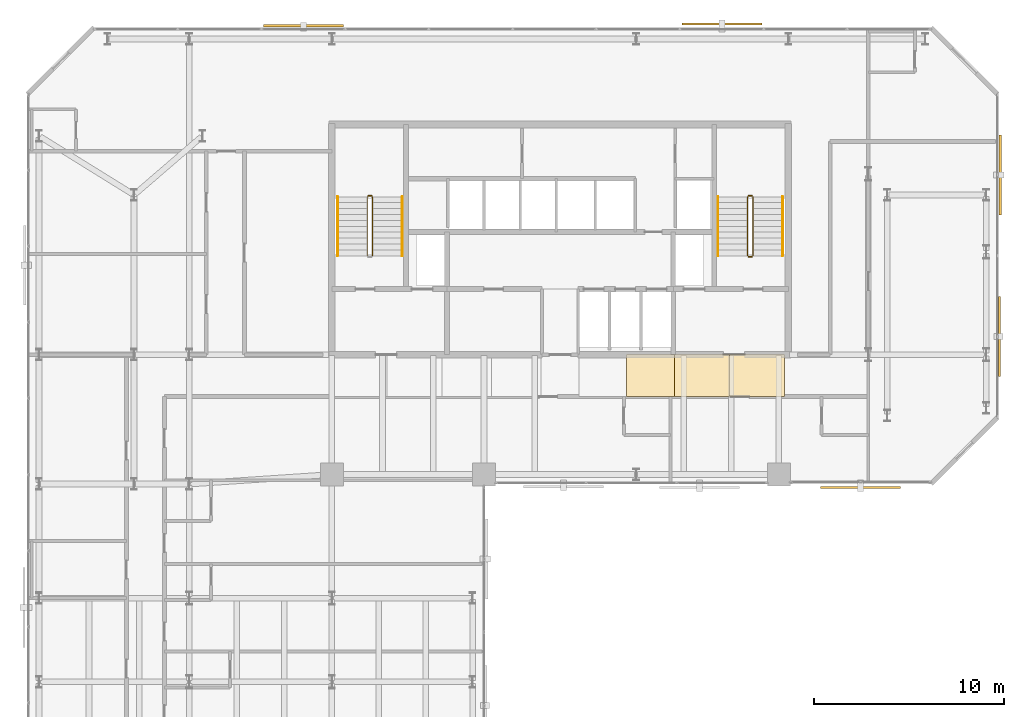
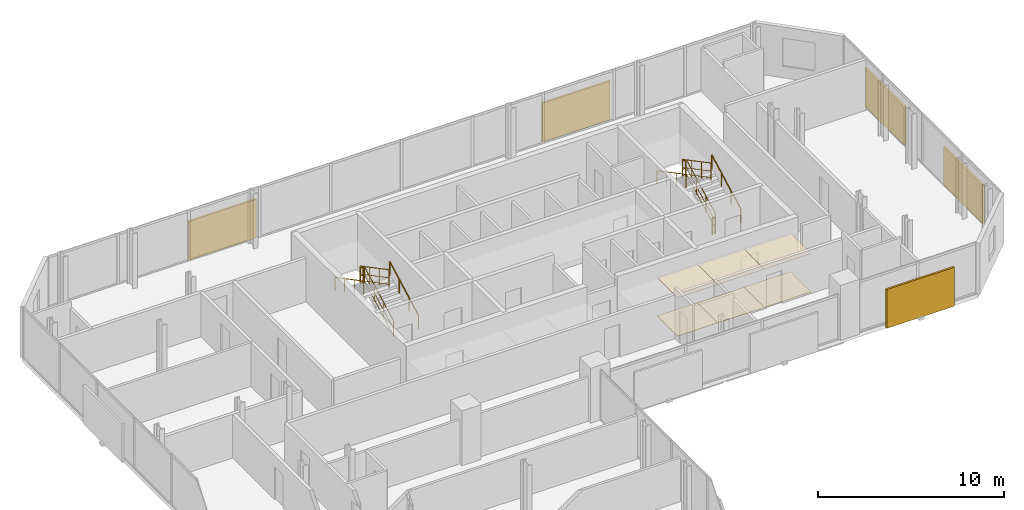
# One storey, part 32 of 32: 11 railings, 6 coverings, 5 shading devices.
"""IFC4 building model written with IfcOpenShell, lengths in metres."""

from ifc_helpers import new_model, si_unit, direction, frame, origin, origin_2d, place, context, subcontext, project, spatial, polyline, rectangle, circle, outline, extrude, material, layer, layer_set, type_object, element, save


model = new_model("IFC4")

# Units and contexts
model_context = context("Model", 3, precision=1e-05, world=origin(), true_north=direction((0.0, 1.0)))
body_context = subcontext(model_context, "Body", "Model", "MODEL_VIEW")
ifc_project = project(units=[si_unit("LENGTHUNIT", "METRE"), si_unit("AREAUNIT", "SQUARE_METRE"), si_unit("VOLUMEUNIT", "CUBIC_METRE"), si_unit("PLANEANGLEUNIT", "RADIAN"), si_unit("MASSUNIT", "GRAM", prefix="KILO")], contexts=[model_context])

# Site, building, storey
site_placement = place(None, origin())
site = spatial("IfcSite", under=ifc_project, at=site_placement, CompositionType="ELEMENT")
building_placement = place(site_placement, origin())
building = spatial("IfcBuilding", under=site, at=building_placement, Name="Catumbela Crestline Tower", CompositionType="ELEMENT")
storey_placement = place(building_placement, frame((0.0, 0.0, 129.6)))
storey = spatial("IfcBuildingStorey", under=building, at=storey_placement, Name="L33", CompositionType="ELEMENT", Elevation=129.6)

# Coverings
ifc_material_1 = material(Name="Mineral-fibre acoustic ceiling")
ifc_layer_1 = layer(ifc_material_1, 0.03, Name="Mineral-fibre acoustic ceiling")
ifc_layer_set_1 = layer_set([ifc_layer_1], Name="Mineral-fibre acoustic ceiling")
covering_type_1 = type_object("IfcCoveringType", Name="CC-AC", PredefinedType="CEILING", material=ifc_layer_set_1)
covering_1_placement = place(storey_placement, frame((0.0, 0.0, 2.52)))
element("IfcCovering", 1, at=covering_1_placement, inside=storey, type_object=covering_type_1, Name="L33 Corridor Acoustic Ceiling Bay 6", PredefinedType="CEILING", context=body_context, shape_type="SweptSolid", body=[
    extrude(outline(polyline([(31.5, 28.6), (34.0, 28.6), (34.0, 30.8), (31.5, 30.8), (31.5, 28.6)])), origin(), (0.0, 0.0, 1.0), 0.03),
])
covering_2_placement = place(storey_placement, frame((0.0, 0.0, 2.52)))
element("IfcCovering", 2, at=covering_2_placement, inside=storey, type_object=covering_type_1, Name="L33 Corridor Acoustic Ceiling Bay 7", PredefinedType="CEILING", context=body_context, shape_type="SweptSolid", body=[
    extrude(outline(polyline([(34.0, 28.6), (36.9, 28.6), (36.9, 30.8), (34.0, 30.8), (34.0, 28.6)])), origin(), (0.0, 0.0, 1.0), 0.03),
])
covering_3_placement = place(storey_placement, frame((0.0, 0.0, 2.52)))
element("IfcCovering", 3, at=covering_3_placement, inside=storey, type_object=covering_type_1, Name="L33 Corridor Acoustic Ceiling Bay 8", PredefinedType="CEILING", context=body_context, shape_type="SweptSolid", body=[
    extrude(outline(polyline([(36.9, 28.6), (39.8, 28.6), (39.8, 30.8), (36.9, 30.8), (36.9, 28.6)])), origin(), (0.0, 0.0, 1.0), 0.03),
])
ifc_material_2 = material(Name="Angolan grey-ochre granite", Category="masonry")
ifc_layer_2 = layer(ifc_material_2, 0.025, Name="Angolan grey-ochre granite")
ifc_layer_set_2 = layer_set([ifc_layer_2], Name="Angolan grey-ochre granite")
covering_type_2 = type_object("IfcCoveringType", Name="CF-GR", PredefinedType="FLOORING", material=ifc_layer_set_2)
covering_4_placement = place(storey_placement, origin())
element("IfcCovering", 4, at=covering_4_placement, inside=storey, type_object=covering_type_2, Name="L33 Corridor Granite Flooring Bay 6", PredefinedType="FLOORING", context=body_context, shape_type="SweptSolid", body=[
    extrude(outline(polyline([(31.5, 28.6), (34.0, 28.6), (34.0, 30.8), (31.5, 30.8), (31.5, 28.6)])), origin(), (0.0, 0.0, 1.0), 0.025),
])
covering_5_placement = place(storey_placement, origin())
element("IfcCovering", 5, at=covering_5_placement, inside=storey, type_object=covering_type_2, Name="L33 Corridor Granite Flooring Bay 7", PredefinedType="FLOORING", context=body_context, shape_type="SweptSolid", body=[
    extrude(outline(polyline([(34.0, 28.6), (36.9, 28.6), (36.9, 30.8), (34.0, 30.8), (34.0, 28.6)])), origin(), (0.0, 0.0, 1.0), 0.025),
])
covering_6_placement = place(storey_placement, origin())
element("IfcCovering", 6, at=covering_6_placement, inside=storey, type_object=covering_type_2, Name="L33 Corridor Granite Flooring Bay 8", PredefinedType="FLOORING", context=body_context, shape_type="SweptSolid", body=[
    extrude(outline(polyline([(36.9, 28.6), (39.8, 28.6), (39.8, 30.8), (36.9, 30.8), (36.9, 28.6)])), origin(), (0.0, 0.0, 1.0), 0.025),
])

# Railings
ifc_material_3 = material(Name="Stainless steel EN 1.4401", Category="steel")
railing_type_1 = type_object("IfcRailingType", Name="RG-1100", PredefinedType="GUARDRAIL", material=ifc_material_3)
railing_1_placement = place(storey_placement, frame((18.14, 36.0, 0.1636)))
element("IfcRailing", 7, at=railing_1_placement, inside=storey, type_object=railing_type_1, Name="L33 ST-01 stair guard 1", PredefinedType="GUARDRAIL", context=body_context, shape_type="SweptSolid", body=[
    extrude(circle(Radius=0.024, at=origin_2d()), frame((0.0, 0.0, 1.076), z_axis=(0.0, 0.884350731049, 0.466823076222), x_axis=(-1.0, 0.0, 0.0)), (0.0, 0.0, 1.0), 3.5054),
    extrude(circle(Radius=0.0156, at=origin_2d()), frame((0.0, 0.0, 0.55), z_axis=(0.0, 0.884350731049, 0.466823076222), x_axis=(-1.0, 0.0, 0.0)), (0.0, 0.0, 1.0), 3.5054),
    extrude(circle(Radius=0.0156, at=origin_2d()), frame((0.0, 0.0, 0.12), z_axis=(0.0, 0.884350731049, 0.466823076222), x_axis=(-1.0, 0.0, 0.0)), (0.0, 0.0, 1.0), 3.5054),
    extrude(circle(Radius=0.021, at=origin_2d()), origin(), (0.0, 0.0, 1.0), 1.052),
    extrude(circle(Radius=0.021, at=origin_2d()), frame((0.0, 1.0333, 0.5455)), (0.0, 0.0, 1.0), 1.052),
    extrude(circle(Radius=0.021, at=origin_2d()), frame((0.0, 2.0667, 1.0909)), (0.0, 0.0, 1.0), 1.052),
    extrude(circle(Radius=0.021, at=origin_2d()), frame((0.0, 3.1, 1.6364)), (0.0, 0.0, 1.0), 1.052),
])
railing_2_placement = place(storey_placement, frame((18.09, 39.15, 1.8)))
element("IfcRailing", 8, at=railing_2_placement, inside=storey, type_object=railing_type_1, Name="L33 ST-01 stair guard 2", PredefinedType="GUARDRAIL", context=body_context, shape_type="SweptSolid", body=[
    extrude(circle(Radius=0.024, at=origin_2d()), frame((0.0, 0.0, 1.076), z_axis=(-1.0, 0.0, 0.0), x_axis=(0.0, -1.0, 0.0)), (0.0, 0.0, 1.0), 0.18),
    extrude(circle(Radius=0.0156, at=origin_2d()), frame((0.0, 0.0, 0.55), z_axis=(-1.0, 0.0, 0.0), x_axis=(0.0, -1.0, 0.0)), (0.0, 0.0, 1.0), 0.18),
    extrude(circle(Radius=0.0156, at=origin_2d()), frame((0.0, 0.0, 0.12), z_axis=(-1.0, 0.0, 0.0), x_axis=(0.0, -1.0, 0.0)), (0.0, 0.0, 1.0), 0.18),
    extrude(circle(Radius=0.021, at=origin_2d()), origin(), (0.0, 0.0, 1.0), 1.052),
    extrude(circle(Radius=0.021, at=origin_2d()), frame((-0.18, 0.0, 0.0)), (0.0, 0.0, 1.0), 1.052),
])
railing_3_placement = place(storey_placement, frame((17.86, 39.1, 1.9636)))
element("IfcRailing", 9, at=railing_3_placement, inside=storey, type_object=railing_type_1, Name="L33 ST-01 stair guard 3", PredefinedType="GUARDRAIL", context=body_context, shape_type="SweptSolid", body=[
    extrude(circle(Radius=0.024, at=origin_2d()), frame((0.0, 0.0, 1.076), z_axis=(0.0, -0.884350731049, 0.466823076222), x_axis=(1.0, 0.0, 0.0)), (0.0, 0.0, 1.0), 3.5054),
    extrude(circle(Radius=0.0156, at=origin_2d()), frame((0.0, 0.0, 0.55), z_axis=(0.0, -0.884350731049, 0.466823076222), x_axis=(1.0, 0.0, 0.0)), (0.0, 0.0, 1.0), 3.5054),
    extrude(circle(Radius=0.0156, at=origin_2d()), frame((0.0, 0.0, 0.12), z_axis=(0.0, -0.884350731049, 0.466823076222), x_axis=(1.0, 0.0, 0.0)), (0.0, 0.0, 1.0), 3.5054),
    extrude(circle(Radius=0.021, at=origin_2d()), origin(), (0.0, 0.0, 1.0), 1.052),
    extrude(circle(Radius=0.021, at=origin_2d()), frame((0.0, -1.0333, 0.5455)), (0.0, 0.0, 1.0), 1.052),
    extrude(circle(Radius=0.021, at=origin_2d()), frame((0.0, -2.0667, 1.0909)), (0.0, 0.0, 1.0), 1.052),
    extrude(circle(Radius=0.021, at=origin_2d()), frame((0.0, -3.1, 1.6364)), (0.0, 0.0, 1.0), 1.052),
])
railing_4_placement = place(storey_placement, frame((38.14, 36.0, 0.1636)))
element("IfcRailing", 10, at=railing_4_placement, inside=storey, type_object=railing_type_1, Name="L33 ST-02 stair guard 1", PredefinedType="GUARDRAIL", context=body_context, shape_type="SweptSolid", body=[
    extrude(circle(Radius=0.024, at=origin_2d()), frame((0.0, 0.0, 1.076), z_axis=(0.0, 0.884350731049, 0.466823076222), x_axis=(-1.0, 0.0, 0.0)), (0.0, 0.0, 1.0), 3.5054),
    extrude(circle(Radius=0.0156, at=origin_2d()), frame((0.0, 0.0, 0.55), z_axis=(0.0, 0.884350731049, 0.466823076222), x_axis=(-1.0, 0.0, 0.0)), (0.0, 0.0, 1.0), 3.5054),
    extrude(circle(Radius=0.0156, at=origin_2d()), frame((0.0, 0.0, 0.12), z_axis=(0.0, 0.884350731049, 0.466823076222), x_axis=(-1.0, 0.0, 0.0)), (0.0, 0.0, 1.0), 3.5054),
    extrude(circle(Radius=0.021, at=origin_2d()), origin(), (0.0, 0.0, 1.0), 1.052),
    extrude(circle(Radius=0.021, at=origin_2d()), frame((0.0, 1.0333, 0.5455)), (0.0, 0.0, 1.0), 1.052),
    extrude(circle(Radius=0.021, at=origin_2d()), frame((0.0, 2.0667, 1.0909)), (0.0, 0.0, 1.0), 1.052),
    extrude(circle(Radius=0.021, at=origin_2d()), frame((0.0, 3.1, 1.6364)), (0.0, 0.0, 1.0), 1.052),
])
railing_5_placement = place(storey_placement, frame((38.09, 39.15, 1.8)))
element("IfcRailing", 11, at=railing_5_placement, inside=storey, type_object=railing_type_1, Name="L33 ST-02 stair guard 2", PredefinedType="GUARDRAIL", context=body_context, shape_type="SweptSolid", body=[
    extrude(circle(Radius=0.024, at=origin_2d()), frame((0.0, 0.0, 1.076), z_axis=(-1.0, 0.0, 0.0), x_axis=(0.0, -1.0, 0.0)), (0.0, 0.0, 1.0), 0.18),
    extrude(circle(Radius=0.0156, at=origin_2d()), frame((0.0, 0.0, 0.55), z_axis=(-1.0, 0.0, 0.0), x_axis=(0.0, -1.0, 0.0)), (0.0, 0.0, 1.0), 0.18),
    extrude(circle(Radius=0.0156, at=origin_2d()), frame((0.0, 0.0, 0.12), z_axis=(-1.0, 0.0, 0.0), x_axis=(0.0, -1.0, 0.0)), (0.0, 0.0, 1.0), 0.18),
    extrude(circle(Radius=0.021, at=origin_2d()), origin(), (0.0, 0.0, 1.0), 1.052),
    extrude(circle(Radius=0.021, at=origin_2d()), frame((-0.18, 0.0, 0.0)), (0.0, 0.0, 1.0), 1.052),
])
railing_6_placement = place(storey_placement, frame((37.86, 39.1, 1.9636)))
element("IfcRailing", 12, at=railing_6_placement, inside=storey, type_object=railing_type_1, Name="L33 ST-02 stair guard 3", PredefinedType="GUARDRAIL", context=body_context, shape_type="SweptSolid", body=[
    extrude(circle(Radius=0.024, at=origin_2d()), frame((0.0, 0.0, 1.076), z_axis=(0.0, -0.884350731049, 0.466823076222), x_axis=(1.0, 0.0, 0.0)), (0.0, 0.0, 1.0), 3.5054),
    extrude(circle(Radius=0.0156, at=origin_2d()), frame((0.0, 0.0, 0.55), z_axis=(0.0, -0.884350731049, 0.466823076222), x_axis=(1.0, 0.0, 0.0)), (0.0, 0.0, 1.0), 3.5054),
    extrude(circle(Radius=0.0156, at=origin_2d()), frame((0.0, 0.0, 0.12), z_axis=(0.0, -0.884350731049, 0.466823076222), x_axis=(1.0, 0.0, 0.0)), (0.0, 0.0, 1.0), 3.5054),
    extrude(circle(Radius=0.021, at=origin_2d()), origin(), (0.0, 0.0, 1.0), 1.052),
    extrude(circle(Radius=0.021, at=origin_2d()), frame((0.0, -1.0333, 0.5455)), (0.0, 0.0, 1.0), 1.052),
    extrude(circle(Radius=0.021, at=origin_2d()), frame((0.0, -2.0667, 1.0909)), (0.0, 0.0, 1.0), 1.052),
    extrude(circle(Radius=0.021, at=origin_2d()), frame((0.0, -3.1, 1.6364)), (0.0, 0.0, 1.0), 1.052),
])
railing_7_placement = place(storey_placement, frame((38.09, 35.95, 0.0)))
element("IfcRailing", 13, at=railing_7_placement, inside=storey, type_object=railing_type_1, Name="L33 ST-02 stair guard 4", PredefinedType="GUARDRAIL", context=body_context, shape_type="SweptSolid", body=[
    extrude(circle(Radius=0.024, at=origin_2d()), frame((0.0, 0.0, 1.076), z_axis=(-1.0, 0.0, 0.0), x_axis=(0.0, -1.0, 0.0)), (0.0, 0.0, 1.0), 0.18),
    extrude(circle(Radius=0.0156, at=origin_2d()), frame((0.0, 0.0, 0.55), z_axis=(-1.0, 0.0, 0.0), x_axis=(0.0, -1.0, 0.0)), (0.0, 0.0, 1.0), 0.18),
    extrude(circle(Radius=0.0156, at=origin_2d()), frame((0.0, 0.0, 0.12), z_axis=(-1.0, 0.0, 0.0), x_axis=(0.0, -1.0, 0.0)), (0.0, 0.0, 1.0), 0.18),
    extrude(circle(Radius=0.021, at=origin_2d()), origin(), (0.0, 0.0, 1.0), 1.052),
    extrude(circle(Radius=0.021, at=origin_2d()), frame((-0.18, 0.0, 0.0)), (0.0, 0.0, 1.0), 1.052),
])
railing_type_2 = type_object("IfcRailingType", Name="RH-0900", PredefinedType="HANDRAIL", material=ifc_material_3)
railing_8_placement = place(storey_placement, frame((19.7, 36.0, 0.1636)))
element("IfcRailing", 14, at=railing_8_placement, inside=storey, type_object=railing_type_2, Name="L33 ST-01 stair handrail 1", PredefinedType="HANDRAIL", context=body_context, shape_type="SweptSolid", body=[
    extrude(circle(Radius=0.024, at=origin_2d()), frame((0.0, 0.0, 0.876), z_axis=(0.0, 0.884350731049, 0.466823076222), x_axis=(-1.0, 0.0, 0.0)), (0.0, 0.0, 1.0), 3.5054),
    extrude(circle(Radius=0.021, at=origin_2d()), origin(), (0.0, 0.0, 1.0), 0.852),
    extrude(circle(Radius=0.021, at=origin_2d()), frame((0.0, 1.0333, 0.5455)), (0.0, 0.0, 1.0), 0.852),
    extrude(circle(Radius=0.021, at=origin_2d()), frame((0.0, 2.0667, 1.0909)), (0.0, 0.0, 1.0), 0.852),
    extrude(circle(Radius=0.021, at=origin_2d()), frame((0.0, 3.1, 1.6364)), (0.0, 0.0, 1.0), 0.852),
])
railing_9_placement = place(storey_placement, frame((16.3, 39.1, 1.9636)))
element("IfcRailing", 15, at=railing_9_placement, inside=storey, type_object=railing_type_2, Name="L33 ST-01 stair handrail 2", PredefinedType="HANDRAIL", context=body_context, shape_type="SweptSolid", body=[
    extrude(circle(Radius=0.024, at=origin_2d()), frame((0.0, 0.0, 0.876), z_axis=(0.0, -0.884350731049, 0.466823076222), x_axis=(1.0, 0.0, 0.0)), (0.0, 0.0, 1.0), 3.5054),
    extrude(circle(Radius=0.021, at=origin_2d()), origin(), (0.0, 0.0, 1.0), 0.852),
    extrude(circle(Radius=0.021, at=origin_2d()), frame((0.0, -1.0333, 0.5455)), (0.0, 0.0, 1.0), 0.852),
    extrude(circle(Radius=0.021, at=origin_2d()), frame((0.0, -2.0667, 1.0909)), (0.0, 0.0, 1.0), 0.852),
    extrude(circle(Radius=0.021, at=origin_2d()), frame((0.0, -3.1, 1.6364)), (0.0, 0.0, 1.0), 0.852),
])
railing_10_placement = place(storey_placement, frame((39.7, 36.0, 0.1636)))
element("IfcRailing", 16, at=railing_10_placement, inside=storey, type_object=railing_type_2, Name="L33 ST-02 stair handrail 1", PredefinedType="HANDRAIL", context=body_context, shape_type="SweptSolid", body=[
    extrude(circle(Radius=0.024, at=origin_2d()), frame((0.0, 0.0, 0.876), z_axis=(0.0, 0.884350731049, 0.466823076222), x_axis=(-1.0, 0.0, 0.0)), (0.0, 0.0, 1.0), 3.5054),
    extrude(circle(Radius=0.021, at=origin_2d()), origin(), (0.0, 0.0, 1.0), 0.852),
    extrude(circle(Radius=0.021, at=origin_2d()), frame((0.0, 1.0333, 0.5455)), (0.0, 0.0, 1.0), 0.852),
    extrude(circle(Radius=0.021, at=origin_2d()), frame((0.0, 2.0667, 1.0909)), (0.0, 0.0, 1.0), 0.852),
    extrude(circle(Radius=0.021, at=origin_2d()), frame((0.0, 3.1, 1.6364)), (0.0, 0.0, 1.0), 0.852),
])
railing_11_placement = place(storey_placement, frame((36.3, 39.1, 1.9636)))
element("IfcRailing", 17, at=railing_11_placement, inside=storey, type_object=railing_type_2, Name="L33 ST-02 stair handrail 2", PredefinedType="HANDRAIL", context=body_context, shape_type="SweptSolid", body=[
    extrude(circle(Radius=0.024, at=origin_2d()), frame((0.0, 0.0, 0.876), z_axis=(0.0, -0.884350731049, 0.466823076222), x_axis=(1.0, 0.0, 0.0)), (0.0, 0.0, 1.0), 3.5054),
    extrude(circle(Radius=0.021, at=origin_2d()), origin(), (0.0, 0.0, 1.0), 0.852),
    extrude(circle(Radius=0.021, at=origin_2d()), frame((0.0, -1.0333, 0.5455)), (0.0, 0.0, 1.0), 0.852),
    extrude(circle(Radius=0.021, at=origin_2d()), frame((0.0, -2.0667, 1.0909)), (0.0, 0.0, 1.0), 0.852),
    extrude(circle(Radius=0.021, at=origin_2d()), frame((0.0, -3.1, 1.6364)), (0.0, 0.0, 1.0), 0.852),
])

# Shading devices
ifc_material_4 = material(Name="Extruded terracotta ceramic", Category="masonry")
shading_device_type_1 = type_object("IfcShadingDeviceType", Name="ST-180", PredefinedType="USERDEFINED", material=ifc_material_4)
for number, where, z_axis, x_axis, name in (
    (18, (51.099, 31.75, -0.1), (0.0, 0.0, 1.0), (0.0, 1.0, 0.0), "L33 Perforated Terracotta Solar Screen 361 (180 mm)"),
    (19, (14.5, 48.099, -0.1), (0.0, 0.0, 1.0), (-1.0, 0.0, 0.0), "L33 Perforated Terracotta Solar Screen 364 (180 mm)"),
):
    element("IfcShadingDevice", number, at=place(storey_placement, frame(where, z_axis=z_axis, x_axis=x_axis)), inside=storey, type_object=shading_device_type_1, Name=name, ObjectType="SCREEN", PredefinedType="USERDEFINED", context=body_context, shape_type="SweptSolid", body=[
        extrude(rectangle(XDim=4.2, YDim=0.12, at=origin_2d()), origin(), (0.0, 0.0, 1.0), 2.55),
    ])
shading_device_type_2 = type_object("IfcShadingDeviceType", Name="ST-260", PredefinedType="USERDEFINED", material=ifc_material_4)
shading_device_placement = place(storey_placement, frame((51.143, 40.25, -0.1), z_axis=(0.0, 0.0, 1.0), x_axis=(0.0, 1.0, 0.0)))
element("IfcShadingDevice", 20, at=shading_device_placement, inside=storey, type_object=shading_device_type_2, Name="L33 Perforated Terracotta Solar Screen 362 (260 mm)", ObjectType="SCREEN", PredefinedType="USERDEFINED", context=body_context, shape_type="SweptSolid", body=[
    extrude(rectangle(XDim=4.2, YDim=0.12, at=origin_2d()), origin(), (0.0, 0.0, 1.0), 2.55),
])
shading_device_type_3 = type_object("IfcShadingDeviceType", Name="ST-340", PredefinedType="USERDEFINED", material=ifc_material_4)
for number, where, z_axis, x_axis, name in (
    (21, (43.8, 23.813, -0.1), (0.0, 0.0, 1.0), (1.0, 0.0, 0.0), "L33 Perforated Terracotta Solar Screen 360 (340 mm)"),
    (22, (36.5, 48.187, -0.1), (0.0, 0.0, 1.0), (-1.0, 0.0, 0.0), "L33 Perforated Terracotta Solar Screen 363 (340 mm)"),
):
    element("IfcShadingDevice", number, at=place(storey_placement, frame(where, z_axis=z_axis, x_axis=x_axis)), inside=storey, type_object=shading_device_type_3, Name=name, ObjectType="SCREEN", PredefinedType="USERDEFINED", context=body_context, shape_type="SweptSolid", body=[
        extrude(rectangle(XDim=4.2, YDim=0.12, at=origin_2d()), origin(), (0.0, 0.0, 1.0), 2.55),
    ])

save(model, "model.ifc")
